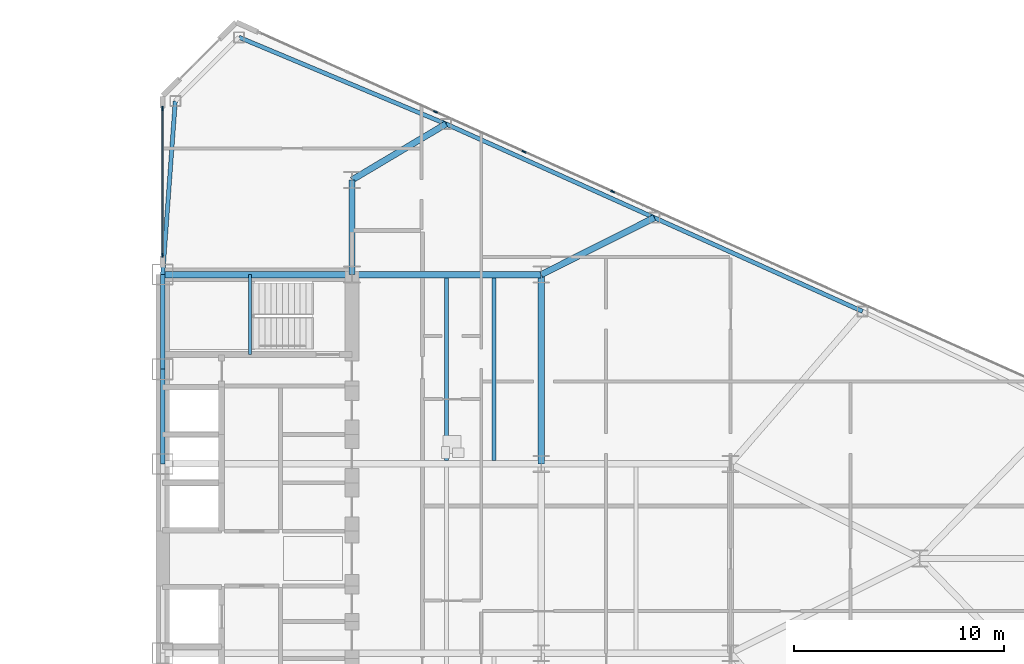
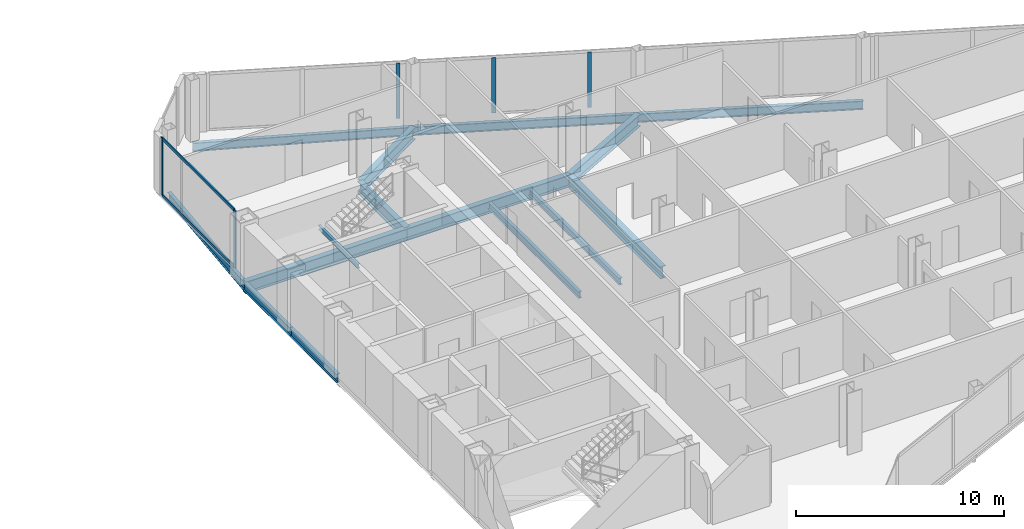
# One storey, part 13 of 27: 15 beams, 7 members, 2 elements without a shape of their own.
"""IFC4 building model written with IfcOpenShell, lengths in metres."""

import ifcopenshell
import ifcopenshell.guid

model = None  # the IFC model being written
_history = None  # IfcOwnerHistory: only IFC2X3 demands one
_inside = {}  # id of a spatial element -> (the spatial element, [elements in it])
_under = {}  # id of a project, library or spatial element -> (it, [spatial elements below it])
_declared = {}  # id of a project -> (the project, [libraries it declares])
_typed = {}  # id of a type object -> (the type object, [elements of that type])
_made_of = {}  # id of a material, layer set ... -> (it, [elements and type objects made of it])


def new_model(schema):
    """Start an empty IFC model of exactly this schema.

    Asked for "IFC4X3", IfcOpenShell would pick the latest addendum, in which some entities
    have other attributes; the version numbers below select the first issue.
    IFC2X3 requires an IfcOwnerHistory on every rooted entity: one is made here for all.
    """
    global model, _history
    if schema == "IFC4X3":
        model = ifcopenshell.file(schema_version=(4, 3, 0, 0))
    else:
        model = ifcopenshell.file(schema=schema)
    _inside.clear()
    _under.clear()
    _declared.clear()
    _typed.clear()
    _made_of.clear()
    _history = None
    if model.schema == "IFC2X3":
        org = make("IfcOrganization", Name="unknown")
        user = make(
            "IfcPersonAndOrganization",
            ThePerson=make("IfcPerson", FamilyName="unknown"),
            TheOrganization=org,
        )
        app = make(
            "IfcApplication",
            ApplicationDeveloper=org,
            Version="unknown",
            ApplicationFullName="unknown",
            ApplicationIdentifier="unknown",
        )
        _history = make(
            "IfcOwnerHistory",
            OwningUser=user,
            OwningApplication=app,
            ChangeAction="ADDED",
            CreationDate=0,
        )
    return model


def make(cls, **values):
    """One entity of the class cls with the attributes given. An attribute that is None is left unset."""
    return model.create_entity(
        cls, **{name: value for name, value in values.items() if value is not None}
    )


def rooted(cls, **values):
    """An entity with a GlobalId (a new one), such as an element, a storey or a relation."""
    return make(cls, GlobalId=ifcopenshell.guid.new(), OwnerHistory=_history, **values)


def si_unit(unit_type, name, prefix=None):
    """IfcSIUnit, for example si_unit("LENGTHUNIT", "METRE", prefix="MILLI")."""
    return make("IfcSIUnit", UnitType=unit_type, Prefix=prefix, Name=name)


def assignment(units):
    """IfcUnitAssignment: the units of a project."""
    return None if units is None else make("IfcUnitAssignment", Units=units)


def point(xyz):
    """IfcCartesianPoint."""
    return None if xyz is None else make("IfcCartesianPoint", Coordinates=xyz)


def direction(xyz):
    """IfcDirection."""
    return None if xyz is None else make("IfcDirection", DirectionRatios=xyz)


def frame(location, z_axis=None, x_axis=None):
    """IfcAxis2Placement3D, a coordinate frame: its origin and axes. An axis left out is left unset."""
    return make(
        "IfcAxis2Placement3D",
        Location=point(location),
        Axis=direction(z_axis),
        RefDirection=direction(x_axis),
    )


def frame_2d(location, x_axis=None):
    """IfcAxis2Placement2D, a coordinate frame in the plane: its origin and x axis."""
    return make(
        "IfcAxis2Placement2D", Location=point(location), RefDirection=direction(x_axis)
    )


def origin():
    """The frame at (0, 0, 0) with its axes left unset."""
    return frame((0.0, 0.0, 0.0))


def origin_2d():
    """The frame at (0, 0) in the plane with its x axis left unset."""
    return frame_2d((0.0, 0.0))


def place(relative_to, where):
    """IfcLocalPlacement: puts the frame where relative to a parent placement (None: the world)."""
    return make(
        "IfcLocalPlacement", PlacementRelTo=relative_to, RelativePlacement=where
    )


def context(
    kind, dimensions, precision=None, world=None, true_north=None, identifier=None
):
    """IfcGeometricRepresentationContext, for example the 3D "Model" context."""
    return make(
        "IfcGeometricRepresentationContext",
        ContextIdentifier=identifier,
        ContextType=kind,
        CoordinateSpaceDimension=dimensions,
        Precision=precision,
        WorldCoordinateSystem=world,
        TrueNorth=true_north,
    )


def subcontext(parent, identifier, kind, view, scale=None):
    """IfcGeometricRepresentationSubContext, for example "Body" below "Model"."""
    return make(
        "IfcGeometricRepresentationSubContext",
        ContextIdentifier=identifier,
        ContextType=kind,
        ParentContext=parent,
        TargetScale=scale,
        TargetView=view,
    )


def project(units=None, contexts=None):
    """IfcProject with its units and contexts."""
    return rooted(
        "IfcProject",
        Name="project",
        RepresentationContexts=contexts,
        UnitsInContext=assignment(units),
    )


def spatial(cls, under=None, at=None, **own):
    """A site, building, storey or space (cls), placed at a placement, below another one or the project."""
    s = rooted(cls, ObjectPlacement=at, **own)
    if under is not None:
        _under.setdefault(under.id(), (under, []))[1].append(s)
    return s


def profile(cls, at=None, kind="AREA", **sizes):
    """A parametric profile (cls). Its sizes go by their IFC names, for example OverallWidth=200.0."""
    return make(cls, ProfileType=kind, Position=at, **sizes)


def rectangle(**sizes):
    """IfcRectangleProfileDef."""
    return profile("IfcRectangleProfileDef", **sizes)


def i_section(**sizes):
    """IfcIShapeProfileDef."""
    return profile("IfcIShapeProfileDef", **sizes)


def extrude(swept, where, along, depth):
    """IfcExtrudedAreaSolid: the profile swept, set in the frame where, extruded along a direction by depth."""
    return make(
        "IfcExtrudedAreaSolid",
        SweptArea=swept,
        Position=where,
        ExtrudedDirection=direction(along),
        Depth=depth,
    )


def shape(context_of_items, identifier, shape_type, items):
    """IfcShapeRepresentation: the items that make up one representation, for example the "Body"."""
    return make(
        "IfcShapeRepresentation",
        ContextOfItems=context_of_items,
        RepresentationIdentifier=identifier,
        RepresentationType=shape_type,
        Items=items,
    )


def source(mapping_origin, context_of_items, identifier, shape_type, items):
    """IfcRepresentationMap: a shape defined once, which mapped items show again and again."""
    return make(
        "IfcRepresentationMap",
        MappingOrigin=mapping_origin,
        MappedRepresentation=shape(context_of_items, identifier, shape_type, items),
    )


def transform(
    local_origin,
    x_axis=None,
    y_axis=None,
    z_axis=None,
    scale=None,
    scale2=None,
    scale3=None,
    uniform=True,
):
    """IfcCartesianTransformationOperator3D, or its non-uniform kind. x_axis, y_axis, z_axis: its Axis1, 2, 3."""
    if uniform:
        return make(
            "IfcCartesianTransformationOperator3D",
            Axis1=direction(x_axis),
            Axis2=direction(y_axis),
            LocalOrigin=point(local_origin),
            Scale=scale,
            Axis3=direction(z_axis),
        )
    return make(
        "IfcCartesianTransformationOperator3DnonUniform",
        Axis1=direction(x_axis),
        Axis2=direction(y_axis),
        LocalOrigin=point(local_origin),
        Scale=scale,
        Axis3=direction(z_axis),
        Scale2=scale2,
        Scale3=scale3,
    )


def mapped(mapping_source, mapping_target):
    """IfcMappedItem: shows the shape of a source again, moved by a transform."""
    return make(
        "IfcMappedItem", MappingSource=mapping_source, MappingTarget=mapping_target
    )


def material(Name=None, Category=None):
    """IfcMaterial."""
    return make("IfcMaterial", Name=Name, Category=Category)


def layer(
    of_material, thickness, ventilated=None, Name=None, Category=None, Priority=None
):
    """IfcMaterialLayer: one layer of a wall or slab, of a material (None: an air gap)."""
    return make(
        "IfcMaterialLayer",
        Material=of_material,
        LayerThickness=thickness,
        IsVentilated=ventilated,
        Name=Name,
        Category=Category,
        Priority=Priority,
    )


def layer_set(layers, Name=None):
    """IfcMaterialLayerSet."""
    return make("IfcMaterialLayerSet", MaterialLayers=layers, LayerSetName=Name)


def material_profile(
    of_material, cross_section, Name=None, Category=None, Priority=None
):
    """IfcMaterialProfile: a cross section and its material."""
    return make(
        "IfcMaterialProfile",
        Name=Name,
        Material=of_material,
        Profile=cross_section,
        Priority=Priority,
        Category=Category,
    )


def profile_set(profiles, Name=None, composite=None):
    """IfcMaterialProfileSet."""
    return make(
        "IfcMaterialProfileSet",
        Name=Name,
        MaterialProfiles=profiles,
        CompositeProfile=composite,
    )


def made_of(thing, what):
    """Note that an element or type object is made of a material, layer set ...; save() writes the relation."""
    if what is not None:
        _made_of.setdefault(what.id(), (what, []))[1].append(thing)
    return thing


def type_object(cls, material=None, **own):
    """A type object (cls), such as IfcWallType, which elements share."""
    return made_of(rooted(cls, **own), material)


def type_shapes(of_type, sources):
    """Give a type object the sources (RepresentationMaps) that its elements show as mapped items."""
    of_type.RepresentationMaps = sources


def element(
    cls,
    number,
    at=None,
    inside=None,
    cuts=None,
    type_object=None,
    material=None,
    context=None,
    identifier="Body",
    shape_type=None,
    held_by="IfcProductDefinitionShape",
    body=None,
    shapes=None,
    **own,
):
    """One element of the class cls, such as IfcWall. Its Tag is "e" and its number.

    at: its placement. inside: the storey or other place that contains it. cuts: it is an
    opening in that element (IfcRelVoidsElement). A single representation is given by context,
    identifier, shape_type and body (its items); several are given by shapes. held_by: the class
    of the entity that holds the representations. save() writes the other relations.
    """
    e = rooted(cls, Tag="e%d" % number, ObjectPlacement=at, **own)
    if body is not None:
        shapes = [shape(context, identifier, shape_type, body)]
    if shapes is not None:
        e.Representation = make(held_by, Representations=shapes)
    if inside is not None:
        _inside.setdefault(inside.id(), (inside, []))[1].append(e)
    if cuts is not None:
        rooted(
            "IfcRelVoidsElement", RelatingBuildingElement=cuts, RelatedOpeningElement=e
        )
    if type_object is not None:
        _typed.setdefault(type_object.id(), (type_object, []))[1].append(e)
    return made_of(e, material)


def aggregate(whole, parts):
    """IfcRelAggregates: a whole, such as a stair, and the parts it consists of."""
    return rooted("IfcRelAggregates", RelatingObject=whole, RelatedObjects=parts)


def save(model, path):
    """Write the relations noted so far, then the file.

    IfcRelAggregates (storeys below a building ...), IfcRelContainedInSpatialStructure (elements
    in a storey), IfcRelDefinesByType, IfcRelAssociatesMaterial and IfcRelDeclares: one each for
    every whole, place, type object, material and project.
    """
    for whole, parts in _under.values():
        aggregate(whole, parts)
    for where, things in _inside.values():
        rooted(
            "IfcRelContainedInSpatialStructure",
            RelatedElements=things,
            RelatingStructure=where,
        )
    for kind, things in _typed.values():
        rooted("IfcRelDefinesByType", RelatedObjects=things, RelatingType=kind)
    for what, things in _made_of.values():
        rooted("IfcRelAssociatesMaterial", RelatedObjects=things, RelatingMaterial=what)
    for by, libraries in _declared.values():
        rooted("IfcRelDeclares", RelatingContext=by, RelatedDefinitions=libraries)
    model.write(path)


model = new_model("IFC4")

# Units and contexts
model_context = context("Model", 3, precision=1e-05, world=origin(), true_north=direction((0.0, 1.0)))
body_context = subcontext(model_context, "Body", "Model", "MODEL_VIEW")
ifc_project = project(units=[si_unit("LENGTHUNIT", "METRE"), si_unit("AREAUNIT", "SQUARE_METRE"), si_unit("VOLUMEUNIT", "CUBIC_METRE"), si_unit("PLANEANGLEUNIT", "RADIAN"), si_unit("MASSUNIT", "GRAM", prefix="KILO")], contexts=[model_context])

# Site, building, storey
site_placement = place(None, origin())
site = spatial("IfcSite", under=ifc_project, at=site_placement, CompositionType="ELEMENT")
building_placement = place(site_placement, origin())
building = spatial("IfcBuilding", under=site, at=building_placement, Name="Seokmaru Belvedere", CompositionType="ELEMENT")
storey_placement = place(building_placement, frame((0.0, 0.0, 99.60009765625)))
storey = spatial("IfcBuildingStorey", under=building, at=storey_placement, Name="L26", CompositionType="ELEMENT", Elevation=99.60009765625)

# Beams
ifc_material_1 = material(Name="Steel SM355 (355 MPa)", Category="steel")
ifc_material_profile_1 = material_profile(ifc_material_1, i_section(OverallWidth=0.199951171875, OverallDepth=0.5, WebThickness=0.010009765625, FlangeThickness=0.01611328125, at=origin_2d()), Name="H-500x200x10x16")
ifc_profile_set_1 = profile_set([ifc_material_profile_1], Name="Steel SM355 (355 MPa)")
beam_type_1 = type_object("IfcBeamType", Name="Perimeter Spandrel Beam H-500", PredefinedType="SPANDREL", material=ifc_profile_set_1)
shared_shape_1 = source(origin(), body_context, "Body", "SweptSolid", [
    extrude(i_section(OverallWidth=0.199951171875, OverallDepth=0.5, WebThickness=0.010009765625, FlangeThickness=0.01611328125, at=origin_2d()), origin(), (0.0, 0.0, 1.0), 4.5),
])
for number, where, z_axis, x_axis, name in (
    (1, (27.5, 4.5, -0.47021484375), (0.0, 1.0, 0.0), (-1.0, 0.0, 0.0), "L26 E Portal Spine Spandrel 4"),
    (2, (27.5, 9.0, -0.47021484375), (0.0, 1.0, 0.0), (-1.0, 0.0, 0.0), "L26 E Portal Spine Spandrel 5"),
):
    element("IfcBeam", number, at=place(storey_placement, frame(where, z_axis=z_axis, x_axis=x_axis)), inside=storey, type_object=beam_type_1, Name=name, PredefinedType="SPANDREL", context=body_context, shape_type="MappedRepresentation", body=[
        mapped(shared_shape_1, transform((0.0, 0.0, 0.0), scale=1.0)),
    ])
ifc_material_profile_2 = material_profile(ifc_material_1, i_section(OverallWidth=0.300048828125, OverallDepth=0.699951171875, WebThickness=0.012939453125, FlangeThickness=0.02392578125, at=origin_2d()), Name="H-700x300x13x24")
ifc_profile_set_2 = profile_set([ifc_material_profile_2], Name="Steel SM355 (355 MPa)")
beam_type_2 = type_object("IfcBeamType", Name="Primary Floor Girder H-700", PredefinedType="BEAM", material=ifc_profile_set_2)
shared_shape_2 = source(origin(), body_context, "Body", "SweptSolid", [
    extrude(i_section(OverallWidth=0.300048828125, OverallDepth=0.699951171875, WebThickness=0.012939453125, FlangeThickness=0.02392578125, at=origin_2d()), origin(), (0.0, 0.0, 1.0), 4.5),
])
beam_1_placement = place(storey_placement, frame((36.5, 13.5, -0.570068359375), z_axis=(0.0, 1.0, 0.0), x_axis=(-1.0, 0.0, 0.0)))
element("IfcBeam", 3, at=beam_1_placement, inside=storey, type_object=beam_type_2, Name="L26 E Core Shoulder Girder N", PredefinedType="BEAM", context=body_context, shape_type="MappedRepresentation", body=[
    mapped(shared_shape_2, transform((0.0, 0.0, 0.0), scale=1.0)),
])
shared_shape_3 = source(origin(), body_context, "Body", "SweptSolid", [
    extrude(i_section(OverallWidth=0.300048828125, OverallDepth=0.699951171875, WebThickness=0.012939453125, FlangeThickness=0.02392578125, at=origin_2d()), origin(), (0.0, 0.0, 1.0), 9.0),
])
for number, where, z_axis, x_axis, name in (
    (4, (45.5, 4.5, -0.570068359375), (0.0, 1.0, 0.0), (-1.0, 0.0, 0.0), "L26 E Interior Grid Girder 3"),
    (5, (27.5, 13.5, -0.570068359375), (1.0, 0.0, 0.0), (0.0, 1.0, 0.0), "L26 E Core Tie Girder 4"),
    (6, (36.5, 13.5, -0.570068359375), (1.0, 0.0, 0.0), (0.0, 1.0, 0.0), "L26 E Wing Primary Girder 4"),
):
    element("IfcBeam", number, at=place(storey_placement, frame(where, z_axis=z_axis, x_axis=x_axis)), inside=storey, type_object=beam_type_2, Name=name, PredefinedType="BEAM", context=body_context, shape_type="MappedRepresentation", body=[
        mapped(shared_shape_3, transform((0.0, 0.0, 0.0), scale=1.0)),
    ])
ifc_material_profile_3 = material_profile(ifc_material_1, i_section(OverallWidth=0.18505859375, OverallDepth=0.389892578125, WebThickness=0.008056640625, FlangeThickness=0.011962890625, at=origin_2d()), Name="H-390x185x8x12")
ifc_profile_set_3 = profile_set([ifc_material_profile_3], Name="Steel SM355 (355 MPa)")
beam_type_3 = type_object("IfcBeamType", Name="Secondary Floor Joist H-350", PredefinedType="JOIST", material=ifc_profile_set_3)
shared_shape_4 = source(origin(), body_context, "Body", "SweptSolid", [
    extrude(i_section(OverallWidth=0.18505859375, OverallDepth=0.389892578125, WebThickness=0.008056640625, FlangeThickness=0.011962890625, at=origin_2d()), origin(), (0.0, 0.0, 1.0), 8.68994140625),
])
type_shapes(beam_type_3, [shared_shape_4])
for number, where, z_axis, x_axis, name in (
    (7, (43.25, 4.655029296875, -0.4150390625), (0.0, 1.0, 0.0), (-1.0, 0.0, 0.0), "L26 E Wing Inner Secondary Joist 2"),
    (8, (41.0, 4.655029296875, -0.4150390625), (0.0, 1.0, 0.0), (-1.0, 0.0, 0.0), "L26 E Secondary Floor Joist 3"),
):
    element("IfcBeam", number, at=place(storey_placement, frame(where, z_axis=z_axis, x_axis=x_axis)), inside=storey, type_object=beam_type_3, Name=name, PredefinedType="JOIST", context=body_context, shape_type="MappedRepresentation", body=[
        mapped(shared_shape_4, transform((0.0, 0.0, 0.0), scale=1.0)),
    ])
shared_shape_5 = source(origin(), body_context, "Body", "SweptSolid", [
    extrude(i_section(OverallWidth=0.199951171875, OverallDepth=0.5, WebThickness=0.010009765625, FlangeThickness=0.01611328125, at=origin_2d()), origin(), (0.0, 0.0, 1.0), 10.66943359375),
])
beam_2_placement = place(storey_placement, frame((31.13134765625, 24.782958984375, -0.47021484375), z_axis=(0.922375393128, -0.386294750355, 0.0), x_axis=(0.386294750355, 0.922375393128, 0.0)))
element("IfcBeam", 9, at=beam_2_placement, inside=storey, type_object=beam_type_1, Name="L26 E Faceted Flank Spandrel N-1", PredefinedType="SPANDREL", context=body_context, shape_type="MappedRepresentation", body=[
    mapped(shared_shape_5, transform((0.0, 0.0, 0.0), scale=1.0)),
])
shared_shape_6 = source(origin(), body_context, "Body", "SweptSolid", [
    extrude(i_section(OverallWidth=0.199951171875, OverallDepth=0.5, WebThickness=0.010009765625, FlangeThickness=0.01611328125, at=origin_2d()), origin(), (0.0, 0.0, 1.0), 10.85888671875),
])
for number, where, z_axis, x_axis, name in (
    (10, (40.97265625, 20.661376953125, -0.47021484375), (0.911921505175, -0.410364677329, 0.0), (0.410364677329, 0.911921505175, 0.0), "L26 E Faceted Flank Spandrel N-2"),
    (11, (50.875, 16.205322265625, -0.47021484375), (0.911925291223, -0.410356263785, 0.0), (0.410356263785, 0.911925291223, 0.0), "L26 E Faceted Flank Spandrel N-3"),
):
    element("IfcBeam", number, at=place(storey_placement, frame(where, z_axis=z_axis, x_axis=x_axis)), inside=storey, type_object=beam_type_1, Name=name, PredefinedType="SPANDREL", context=body_context, shape_type="MappedRepresentation", body=[
        mapped(shared_shape_6, transform((0.0, 0.0, 0.0), scale=1.0)),
    ])
shared_shape_7 = source(origin(), body_context, "Body", "SweptSolid", [
    extrude(i_section(OverallWidth=0.199951171875, OverallDepth=0.5, WebThickness=0.010009765625, FlangeThickness=0.01611328125, at=origin_2d()), origin(), (0.0, 0.0, 1.0), 8.273193359375),
])
type_shapes(beam_type_1, [shared_shape_1, shared_shape_5, shared_shape_6, shared_shape_7])
beam_3_placement = place(storey_placement, frame((28.10009765625, 21.75146484375, -0.47021484375), z_axis=(-0.072534628348, -0.99736589459, 0.0), x_axis=(0.99736589459, -0.072534628348, 0.0)))
element("IfcBeam", 12, at=beam_3_placement, inside=storey, type_object=beam_type_1, Name="L26 E Shoulder Spine Spandrel N", PredefinedType="SPANDREL", context=body_context, shape_type="MappedRepresentation", body=[
    mapped(shared_shape_7, transform((0.0, 0.0, 0.0), scale=1.0)),
])
shared_shape_8 = source(origin(), body_context, "Body", "SweptSolid", [
    extrude(i_section(OverallWidth=0.300048828125, OverallDepth=0.699951171875, WebThickness=0.012939453125, FlangeThickness=0.02392578125, at=origin_2d()), origin(), (0.0, 0.0, 1.0), 5.20458984375),
])
beam_4_placement = place(storey_placement, frame((40.97265625, 20.661376953125, -0.570068359375), z_axis=(-0.859370434188, -0.511353553662, 0.0), x_axis=(0.511353553662, -0.859370434188, 0.0)))
element("IfcBeam", 13, at=beam_4_placement, inside=storey, type_object=beam_type_2, Name="L26 E Flank Radial Floor Girder N-1", PredefinedType="BEAM", context=body_context, shape_type="MappedRepresentation", body=[
    mapped(shared_shape_8, transform((0.0, 0.0, 0.0), scale=1.0)),
])
shared_shape_9 = source(origin(), body_context, "Body", "SweptSolid", [
    extrude(i_section(OverallWidth=0.300048828125, OverallDepth=0.699951171875, WebThickness=0.012939453125, FlangeThickness=0.02392578125, at=origin_2d()), origin(), (0.0, 0.0, 1.0), 6.017333984375),
])
type_shapes(beam_type_2, [shared_shape_2, shared_shape_3, shared_shape_8, shared_shape_9])
beam_5_placement = place(storey_placement, frame((50.875, 16.205322265625, -0.570068359375), z_axis=(-0.893239341975, -0.449581447512, 0.0), x_axis=(0.449581447512, -0.893239341975, 0.0)))
element("IfcBeam", 14, at=beam_5_placement, inside=storey, type_object=beam_type_2, Name="L26 E Flank Radial Floor Girder N-2", PredefinedType="BEAM", context=body_context, shape_type="MappedRepresentation", body=[
    mapped(shared_shape_9, transform((0.0, 0.0, 0.0), scale=1.0)),
])

# Curtain wall, members
ifc_material_2 = material(Name="Bronze Triple Insulating Glass", Category="glass")
ifc_layer = layer(ifc_material_2, 0.195068359375)
ifc_layer_set = layer_set([ifc_layer], Name="Bronze Triple Insulating Glass")
curtain_wall_type = type_object("IfcCurtainWallType", Name="Lower-Mid Tapered Curtain Wall System CW-3", PredefinedType="NOTDEFINED", material=ifc_layer_set)
curtain_wall_1_placement = place(storey_placement, origin())
curtain_wall_1 = element("IfcCurtainWall", 15, at=curtain_wall_1_placement, inside=storey, type_object=curtain_wall_type, Name="L26 Curtain Wall ESP_2", PredefinedType="NOTDEFINED")
ifc_material_3 = material(Name="Anodised Bronze Aluminium", Category="aluminium")
ifc_material_profile_4 = material_profile(ifc_material_3, rectangle(XDim=0.070068359375, YDim=0.195068359375, at=origin_2d()), Name="CW-M-70x195")
ifc_profile_set_4 = profile_set([ifc_material_profile_4], Name="Anodised Bronze Aluminium")
member_type_1 = type_object("IfcMemberType", Name="Bronze Unitised Mullion 70x195", PredefinedType="MULLION", material=ifc_profile_set_4)
shared_shape_10 = source(origin(), body_context, "Body", "SweptSolid", [
    extrude(rectangle(XDim=0.070068359375, YDim=0.195068359375, at=origin_2d()), origin(), (0.0, 0.0, 1.0), 3.3798828125),
])
member_1_placement = place(storey_placement, frame((27.5, 21.39501953125, 0.0), z_axis=(0.0, 0.0, 1.0), x_axis=(1.0, 0.0, 0.0)))
member_1 = element("IfcMember", 16, at=member_1_placement, type_object=member_type_1, Name="CW:L26:ESP_2 Mullion 1", PredefinedType="MULLION", context=body_context, shape_type="MappedRepresentation", body=[
    mapped(shared_shape_10, transform((0.0, 0.0, 0.0), scale=1.0)),
])
member_2_placement = place(storey_placement, frame((27.5, 14.4150390625, 0.0), z_axis=(0.0, 0.0, 1.0), x_axis=(1.0, 0.0, 0.0)))
member_2 = element("IfcMember", 17, at=member_2_placement, type_object=member_type_1, Name="CW:L26:ESP_2 Mullion 2", PredefinedType="MULLION", context=body_context, shape_type="MappedRepresentation", body=[
    mapped(shared_shape_10, transform((0.0, 0.0, 0.0), scale=1.0)),
])
ifc_material_profile_5 = material_profile(ifc_material_3, rectangle(XDim=0.070068359375, YDim=0.1650390625, at=origin_2d()), Name="CW-T-70x165")
ifc_profile_set_5 = profile_set([ifc_material_profile_5], Name="Anodised Bronze Aluminium")
member_type_2 = type_object("IfcMemberType", Name="Bronze Unitised Transom 70x165", PredefinedType="USERDEFINED", material=ifc_profile_set_5)
shared_shape_11 = source(origin(), body_context, "Body", "SweptSolid", [
    extrude(rectangle(XDim=0.070068359375, YDim=0.1650390625, at=origin_2d()), origin(), (0.0, 0.0, 1.0), 6.91015625),
])
type_shapes(member_type_2, [shared_shape_11])
member_3_placement = place(storey_placement, frame((27.5, 21.360107421875, 0.034912109375), z_axis=(0.0, -1.0, 0.0), x_axis=(1.0, 0.0, 0.0)))
member_3 = element("IfcMember", 18, at=member_3_placement, type_object=member_type_2, Name="CW:L26:ESP_2 Continuous Transom 1", ObjectType="TRANSOM", PredefinedType="USERDEFINED", context=body_context, shape_type="MappedRepresentation", body=[
    mapped(shared_shape_11, transform((0.0, 0.0, 0.0), scale=1.0)),
])
member_4_placement = place(storey_placement, frame((27.5, 21.360107421875, 3.344970703125), z_axis=(0.0, -1.0, 0.0), x_axis=(1.0, 0.0, 0.0)))
member_4 = element("IfcMember", 19, at=member_4_placement, type_object=member_type_2, Name="CW:L26:ESP_2 Continuous Transom 2", ObjectType="TRANSOM", PredefinedType="USERDEFINED", context=body_context, shape_type="MappedRepresentation", body=[
    mapped(shared_shape_11, transform((0.0, 0.0, 0.0), scale=1.0)),
])
aggregate(curtain_wall_1, [member_1, member_2, member_3, member_4])

curtain_wall_2_placement = place(storey_placement, origin())
curtain_wall_2 = element("IfcCurtainWall", 20, at=curtain_wall_2_placement, inside=storey, type_object=curtain_wall_type, Name="L26 Curtain Wall EF3", PredefinedType="NOTDEFINED")
shared_shape_12 = source(origin(), body_context, "Body", "SweptSolid", [
    extrude(rectangle(XDim=0.070068359375, YDim=0.195068359375, at=origin_2d()), origin(), (0.0, 0.0, 1.0), 3.239990234375),
])
type_shapes(member_type_1, [shared_shape_10, shared_shape_12])
member_5_placement = place(storey_placement, frame((48.894287109375, 17.447509765625, 0.06982421875), z_axis=(0.0, 0.0, 1.0), x_axis=(-0.41036554765, -0.91192111353, 0.0)))
member_5 = element("IfcMember", 21, at=member_5_placement, type_object=member_type_1, Name="CW:L26:EF3 Mullion 6", PredefinedType="MULLION", context=body_context, shape_type="MappedRepresentation", body=[
    mapped(shared_shape_12, transform((0.0, 0.0, 0.0), scale=1.0)),
])
member_6_placement = place(storey_placement, frame((44.682861328125, 19.3427734375, 0.06982421875), z_axis=(0.0, 0.0, 1.0), x_axis=(-0.41036554765, -0.91192111353, 0.0)))
member_6 = element("IfcMember", 22, at=member_6_placement, type_object=member_type_1, Name="CW:L26:EF3 Mullion 7", PredefinedType="MULLION", context=body_context, shape_type="MappedRepresentation", body=[
    mapped(shared_shape_12, transform((0.0, 0.0, 0.0), scale=1.0)),
])
member_7_placement = place(storey_placement, frame((40.471435546875, 21.23779296875, 0.06982421875), z_axis=(0.0, 0.0, 1.0), x_axis=(-0.41036554765, -0.91192111353, 0.0)))
member_7 = element("IfcMember", 23, at=member_7_placement, type_object=member_type_1, Name="CW:L26:EF3 Mullion 8", PredefinedType="MULLION", context=body_context, shape_type="MappedRepresentation", body=[
    mapped(shared_shape_12, transform((0.0, 0.0, 0.0), scale=1.0)),
])
aggregate(curtain_wall_2, [member_5, member_6, member_7])

# Beam
ifc_material_profile_6 = material_profile(ifc_material_1, i_section(OverallWidth=0.125, OverallDepth=0.25, WebThickness=0.006103515625, FlangeThickness=0.009033203125, at=origin_2d()), Name="H-250x125x6x9")
ifc_profile_set_6 = profile_set([ifc_material_profile_6], Name="Steel SM355 (355 MPa)")
beam_type_4 = type_object("IfcBeamType", Name="Stair Mid-Landing Support Beam H-250", PredefinedType="JOIST", material=ifc_profile_set_6)
shared_shape_13 = source(origin(), body_context, "Body", "SweptSolid", [
    extrude(i_section(OverallWidth=0.125, OverallDepth=0.25, WebThickness=0.006103515625, FlangeThickness=0.009033203125, at=origin_2d()), origin(), (0.0, 0.0, 1.0), 3.800048828125),
])
type_shapes(beam_type_4, [shared_shape_13])
beam_6_placement = place(storey_placement, frame((31.64990234375, 9.699951171875, 1.474853515625), z_axis=(0.0, 1.0, 0.0), x_axis=(-1.0, 0.0, 0.0)))
element("IfcBeam", 24, at=beam_6_placement, inside=storey, type_object=beam_type_4, Name="L26 Stair ST-E2 Mid-Landing Support Beam 1", PredefinedType="JOIST", context=body_context, shape_type="MappedRepresentation", body=[
    mapped(shared_shape_13, transform((0.0, 0.0, 0.0), scale=1.0)),
])

save(model, "model.ifc")
